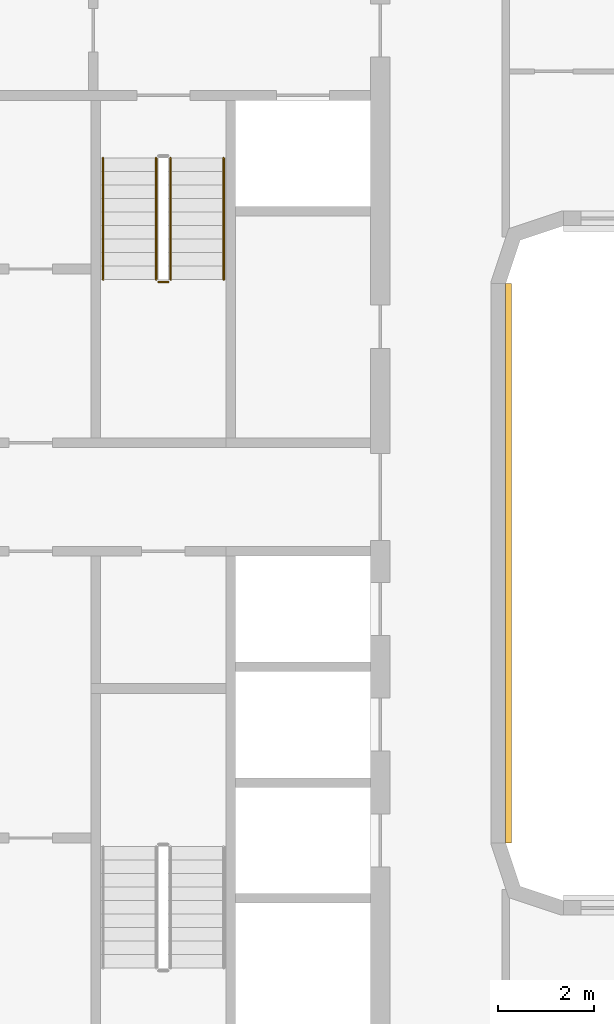
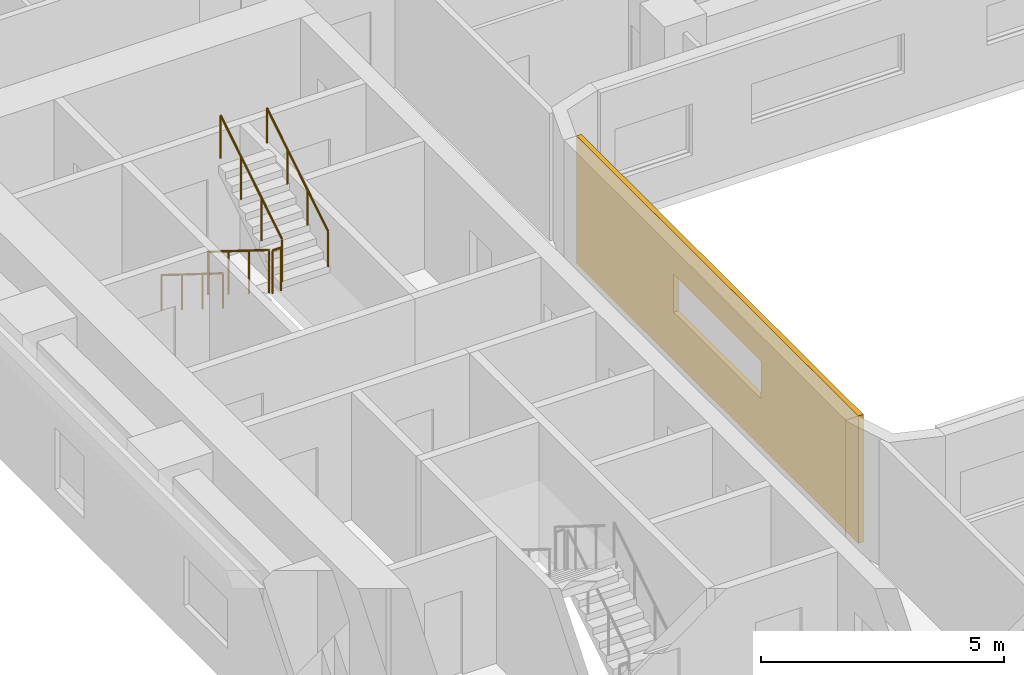
# One storey, part 15 of 21: 5 railings, 1 covering.
"""IFC4 building model written with IfcOpenShell, lengths in metres."""

from ifc_helpers import new_model, si_unit, direction, frame, origin, origin_2d, place, context, subcontext, project, spatial, polyline, circle, outline, extrude, material, layer, layer_set, type_object, element, save


model = new_model("IFC4")

# Units and contexts
model_context = context("Model", 3, precision=1e-05, world=origin(), true_north=direction((0.0, 1.0)))
body_context = subcontext(model_context, "Body", "Model", "MODEL_VIEW")
ifc_project = project(units=[si_unit("LENGTHUNIT", "METRE"), si_unit("AREAUNIT", "SQUARE_METRE"), si_unit("VOLUMEUNIT", "CUBIC_METRE"), si_unit("PLANEANGLEUNIT", "RADIAN"), si_unit("MASSUNIT", "GRAM", prefix="KILO")], contexts=[model_context])

# Site, building, storey
site_placement = place(None, origin())
site = spatial("IfcSite", under=ifc_project, at=site_placement, CompositionType="ELEMENT")
building_placement = place(site_placement, origin())
building = spatial("IfcBuilding", under=site, at=building_placement, Name="Kiln Ring Residences", CompositionType="ELEMENT")
storey_placement = place(building_placement, frame((0.0, 0.0, 100.800048828125)))
storey = spatial("IfcBuildingStorey", under=building, at=storey_placement, Name="L25", CompositionType="ELEMENT", Elevation=100.800048828125)

# Railings
ifc_material_1 = material(Name="Stainless steel", Category="steel")
railing_type_1 = type_object("IfcRailingType", Name="CORE-STAIR-GUARD", PredefinedType="GUARDRAIL", material=ifc_material_1)
railing_1_placement = place(storey_placement, frame((-22.25, 8.39990234375, 0.175048828125)))
element("IfcRailing", 1, at=railing_1_placement, inside=storey, type_object=railing_type_1, Name="L25 W-STN stair guard 1", PredefinedType="GUARDRAIL", context=body_context, shape_type="SweptSolid", body=[
    extrude(circle(Radius=0.02392578125, at=origin_2d()), frame((0.0, 0.0, 1.076171875), z_axis=(0.0, -0.848007534815, 0.529984170421), x_axis=(1.0, 0.0, 0.0)), (0.0, 0.0, 1.0), 2.9716796875),
    extrude(circle(Radius=0.02099609375, at=origin_2d()), origin(), (0.0, 0.0, 1.0), 1.052001953125),
    extrude(circle(Radius=0.02099609375, at=origin_2d()), frame((0.0, -0.840087890625, 0.52490234375)), (0.0, 0.0, 1.0), 1.052001953125),
    extrude(circle(Radius=0.02099609375, at=origin_2d()), frame((0.0, -1.679931640625, 1.050048828125)), (0.0, 0.0, 1.0), 1.052001953125),
    extrude(circle(Radius=0.02099609375, at=origin_2d()), frame((0.0, -2.52001953125, 1.574951171875)), (0.0, 0.0, 1.0), 1.052001953125),
])
railing_2_placement = place(storey_placement, frame((-22.199951171875, 5.830078125, 1.75)))
element("IfcRailing", 2, at=railing_2_placement, inside=storey, type_object=railing_type_1, Name="L25 W-STN stair guard 2", PredefinedType="GUARDRAIL", context=body_context, shape_type="SweptSolid", body=[
    extrude(circle(Radius=0.02392578125, at=origin_2d()), frame((0.0, 0.0, 1.076171875), z_axis=(1.0, 0.0, 0.0), x_axis=(0.0, 1.0, 0.0)), (0.0, 0.0, 1.0), 0.199951171875),
    extrude(circle(Radius=0.02099609375, at=origin_2d()), origin(), (0.0, 0.0, 1.0), 1.052001953125),
    extrude(circle(Radius=0.02099609375, at=origin_2d()), frame((0.199951171875, 0.0, 0.0)), (0.0, 0.0, 1.0), 1.052001953125),
])
railing_3_placement = place(storey_placement, frame((-21.949951171875, 5.8798828125, 1.925048828125)))
element("IfcRailing", 3, at=railing_3_placement, inside=storey, type_object=railing_type_1, Name="L25 W-STN stair guard 3", PredefinedType="GUARDRAIL", context=body_context, shape_type="SweptSolid", body=[
    extrude(circle(Radius=0.02392578125, at=origin_2d()), frame((0.0, 0.0, 1.076171875), z_axis=(0.0, 0.848007534815, 0.529984170421), x_axis=(-1.0, 0.0, 0.0)), (0.0, 0.0, 1.0), 2.9716796875),
    extrude(circle(Radius=0.02099609375, at=origin_2d()), origin(), (0.0, 0.0, 1.0), 1.052001953125),
    extrude(circle(Radius=0.02099609375, at=origin_2d()), frame((0.0, 0.840087890625, 0.52490234375)), (0.0, 0.0, 1.0), 1.052001953125),
    extrude(circle(Radius=0.02099609375, at=origin_2d()), frame((0.0, 1.679931640625, 1.050048828125)), (0.0, 0.0, 1.0), 1.052001953125),
    extrude(circle(Radius=0.02099609375, at=origin_2d()), frame((0.0, 2.52001953125, 1.574951171875)), (0.0, 0.0, 1.0), 1.052001953125),
])
ifc_material_2 = material(Name="Stainless steel", Category="steel")
railing_type_2 = type_object("IfcRailingType", Name="CORE-STAIR-HANDRAIL", PredefinedType="HANDRAIL", material=ifc_material_2)
railing_4_placement = place(storey_placement, frame((-23.35009765625, 8.39990234375, 0.175048828125)))
element("IfcRailing", 4, at=railing_4_placement, inside=storey, type_object=railing_type_2, Name="L25 W-STN stair handrail 1", PredefinedType="HANDRAIL", context=body_context, shape_type="SweptSolid", body=[
    extrude(circle(Radius=0.02392578125, at=origin_2d()), frame((0.0, 0.0, 0.8759765625), z_axis=(0.0, -0.848007534815, 0.529984170421), x_axis=(1.0, 0.0, 0.0)), (0.0, 0.0, 1.0), 2.9716796875),
    extrude(circle(Radius=0.02099609375, at=origin_2d()), origin(), (0.0, 0.0, 1.0), 0.851806640625),
    extrude(circle(Radius=0.02099609375, at=origin_2d()), frame((0.0, -0.840087890625, 0.52490234375)), (0.0, 0.0, 1.0), 0.851806640625),
    extrude(circle(Radius=0.02099609375, at=origin_2d()), frame((0.0, -1.679931640625, 1.050048828125)), (0.0, 0.0, 1.0), 0.851806640625),
    extrude(circle(Radius=0.02099609375, at=origin_2d()), frame((0.0, -2.52001953125, 1.574951171875)), (0.0, 0.0, 1.0), 0.851806640625),
])
railing_5_placement = place(storey_placement, frame((-20.85009765625, 5.8798828125, 1.925048828125)))
element("IfcRailing", 5, at=railing_5_placement, inside=storey, type_object=railing_type_2, Name="L25 W-STN stair handrail 2", PredefinedType="HANDRAIL", context=body_context, shape_type="SweptSolid", body=[
    extrude(circle(Radius=0.02392578125, at=origin_2d()), frame((0.0, 0.0, 0.8759765625), z_axis=(0.0, 0.848007534815, 0.529984170421), x_axis=(-1.0, 0.0, 0.0)), (0.0, 0.0, 1.0), 2.9716796875),
    extrude(circle(Radius=0.02099609375, at=origin_2d()), origin(), (0.0, 0.0, 1.0), 0.851806640625),
    extrude(circle(Radius=0.02099609375, at=origin_2d()), frame((0.0, 0.840087890625, 0.52490234375)), (0.0, 0.0, 1.0), 0.851806640625),
    extrude(circle(Radius=0.02099609375, at=origin_2d()), frame((0.0, 1.679931640625, 1.050048828125)), (0.0, 0.0, 1.0), 0.851806640625),
    extrude(circle(Radius=0.02099609375, at=origin_2d()), frame((0.0, 2.52001953125, 1.574951171875)), (0.0, 0.0, 1.0), 0.851806640625),
])

# Covering
ifc_material_3 = material(Name="Brick masonry, dark clay brick", Category="masonry")
ifc_layer = layer(ifc_material_3, 0.1201171875)
ifc_layer_set = layer_set([ifc_layer], Name="RAINSCREEN PANEL 120")
covering_type = type_object("IfcCoveringType", Name="RAINSCREEN PANEL 120", PredefinedType="CLADDING", material=ifc_layer_set)
covering_placement = place(storey_placement, frame((-14.93994140625, -5.800048828125, 0.0), z_axis=(0.0, 0.0, 1.0), x_axis=(0.0, 1.0, 0.0)))
element("IfcCovering", 6, at=covering_placement, inside=storey, type_object=covering_type, Name="RAINSCREEN L25", PredefinedType="CLADDING", context=body_context, shape_type="SweptSolid", body=[
    extrude(outline(polyline([(0.0, 0.0), (11.60009765625, 0.0), (11.60009765625, 3.199951171875), (0.0, 3.199951171875), (0.0, 0.0)]), holes=[polyline([(4.0, 2.14990234375), (4.0, 1.199951171875), (7.60009765625, 1.199951171875), (7.60009765625, 2.14990234375), (4.0, 2.14990234375)])]), frame((0.0, 0.06005859375, 0.0), z_axis=(0.0, -1.0, 0.0), x_axis=(1.0, 0.0, 0.0)), (0.0, 0.0, 1.0), 0.1201171875),
])

save(model, "model.ifc")
